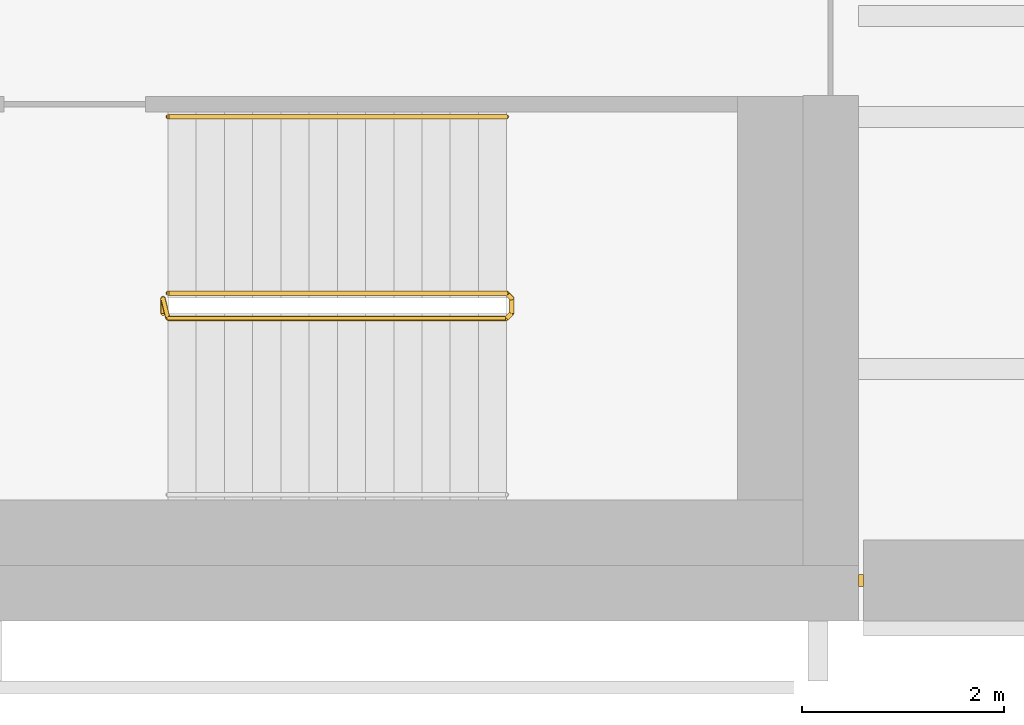
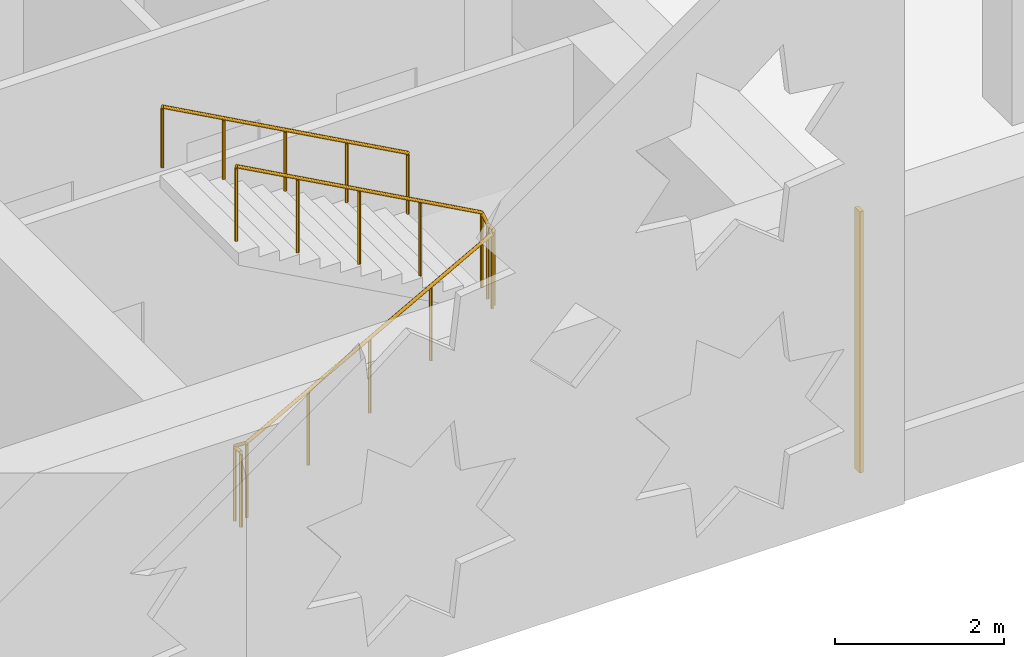
# One storey, part 14 of 15: 2 railings, 1 covering.
"""IFC4 building model written with IfcOpenShell, lengths in metres."""

from ifc_helpers import new_model, si_unit, direction, frame, origin, origin_2d, place, context, subcontext, project, spatial, rectangle, circle, extrude, material, layer, layer_set, type_object, element, save


model = new_model("IFC4")

# Units and contexts
model_context = context("Model", 3, precision=1e-05, world=origin(), true_north=direction((0.0, 1.0)))
body_context = subcontext(model_context, "Body", "Model", "MODEL_VIEW")
ifc_project = project(units=[si_unit("LENGTHUNIT", "METRE"), si_unit("AREAUNIT", "SQUARE_METRE"), si_unit("VOLUMEUNIT", "CUBIC_METRE"), si_unit("PLANEANGLEUNIT", "RADIAN"), si_unit("MASSUNIT", "GRAM", prefix="KILO")], contexts=[model_context])

# Site, building, storey
site_placement = place(None, origin())
site = spatial("IfcSite", under=ifc_project, at=site_placement, CompositionType="ELEMENT")
building_placement = place(site_placement, origin())
building = spatial("IfcBuilding", under=site, at=building_placement, Name="Zellij Exchange Tower", CompositionType="ELEMENT")
storey_placement = place(building_placement, frame((0.0, 0.0, 276.5)))
storey = spatial("IfcBuildingStorey", under=building, at=storey_placement, Name="L65", CompositionType="ELEMENT", Elevation=276.5)

# Railings
ifc_material_1 = material(Name="Stainless steel", Category="steel")
railing_type_1 = type_object("IfcRailingType", Name="CORE-RG stair guard", PredefinedType="GUARDRAIL", material=ifc_material_1)
railing_1_placement = place(storey_placement, frame((20.10009765625, -10.949951171875, 0.0)))
element("IfcRailing", 1, at=railing_1_placement, inside=storey, type_object=railing_type_1, Name="ST4 stair guard L65", PredefinedType="GUARDRAIL", context=body_context, shape_type="SweptSolid", body=[
    extrude(circle(Radius=0.02392578125, at=origin_2d()), frame((0.0, 0.0, 1.076171875), z_axis=(0.0, 1.0, 0.0), x_axis=(-1.0, 0.0, 0.0)), (0.0, 0.0, 1.0), 0.14990234375),
    extrude(circle(Radius=0.02392578125, at=origin_2d()), frame((0.0, 0.14990234375, 1.076171875), z_axis=(0.193691321961, -0.777613689637, 0.598164376644), x_axis=(0.970351222016, 0.241699205484, 0.0)), (0.0, 0.0, 1.0), 0.257080078125),
    extrude(circle(Radius=0.02392578125, at=origin_2d()), frame((0.0498046875, -0.050048828125, 1.22998046875), z_axis=(0.876421534553, 0.0, 0.481544695509), x_axis=(0.0, 1.0, 0.0)), (0.0, 0.0, 1.0), 3.833984375),
    extrude(circle(Radius=0.02392578125, at=origin_2d()), frame((3.409912109375, -0.050048828125, 3.076171875), z_axis=(0.707106781187, 0.707106781187, 0.0), x_axis=(-0.707106781187, 0.707106781187, 0.0)), (0.0, 0.0, 1.0), 0.07080078125),
    extrude(circle(Radius=0.02392578125, at=origin_2d()), frame((3.4599609375, 0.0, 3.076171875), z_axis=(0.0, 1.0, 0.0), x_axis=(-1.0, 0.0, 0.0)), (0.0, 0.0, 1.0), 0.14990234375),
    extrude(circle(Radius=0.02392578125, at=origin_2d()), frame((3.4599609375, 0.14990234375, 3.076171875), z_axis=(-0.295599637079, 0.295599637079, 0.908428152975), x_axis=(-0.707106781187, -0.707106781187, 0.0)), (0.0, 0.0, 1.0), 0.16943359375),
    extrude(circle(Radius=0.02392578125, at=origin_2d()), frame((3.409912109375, 0.199951171875, 3.22998046875), z_axis=(-0.876421534553, 0.0, 0.481544695509), x_axis=(0.0, -1.0, 0.0)), (0.0, 0.0, 1.0), 3.833984375),
    extrude(circle(Radius=0.02099609375, at=origin_2d()), origin(), (0.0, 0.0, 1.0), 1.052001953125),
    extrude(circle(Radius=0.02099609375, at=origin_2d()), frame((0.0, 0.14990234375, 0.0)), (0.0, 0.0, 1.0), 1.052001953125),
    extrude(circle(Radius=0.02099609375, at=origin_2d()), frame((0.0498046875, -0.050048828125, 0.15380859375)), (0.0, 0.0, 1.0), 1.052001953125),
    extrude(circle(Radius=0.02099609375, at=origin_2d()), frame((0.889892578125, -0.050048828125, 0.615234375)), (0.0, 0.0, 1.0), 1.052001953125),
    extrude(circle(Radius=0.02099609375, at=origin_2d()), frame((1.72998046875, -0.050048828125, 1.076904296875)), (0.0, 0.0, 1.0), 1.052001953125),
    extrude(circle(Radius=0.02099609375, at=origin_2d()), frame((2.56982421875, -0.050048828125, 1.53857421875)), (0.0, 0.0, 1.0), 1.052001953125),
    extrude(circle(Radius=0.02099609375, at=origin_2d()), frame((3.409912109375, -0.050048828125, 2.0)), (0.0, 0.0, 1.0), 1.052001953125),
    extrude(circle(Radius=0.02099609375, at=origin_2d()), frame((3.4599609375, 0.0, 2.0)), (0.0, 0.0, 1.0), 1.052001953125),
    extrude(circle(Radius=0.02099609375, at=origin_2d()), frame((3.4599609375, 0.14990234375, 2.0)), (0.0, 0.0, 1.0), 1.052001953125),
    extrude(circle(Radius=0.02099609375, at=origin_2d()), frame((3.409912109375, 0.199951171875, 2.15380859375)), (0.0, 0.0, 1.0), 1.052001953125),
    extrude(circle(Radius=0.02099609375, at=origin_2d()), frame((2.56982421875, 0.199951171875, 2.615234375)), (0.0, 0.0, 1.0), 1.052001953125),
    extrude(circle(Radius=0.02099609375, at=origin_2d()), frame((1.72998046875, 0.199951171875, 3.076904296875)), (0.0, 0.0, 1.0), 1.052001953125),
    extrude(circle(Radius=0.02099609375, at=origin_2d()), frame((0.889892578125, 0.199951171875, 3.53857421875)), (0.0, 0.0, 1.0), 1.052001953125),
    extrude(circle(Radius=0.02099609375, at=origin_2d()), frame((0.0498046875, 0.199951171875, 4.0)), (0.0, 0.0, 1.0), 1.052001953125),
])
railing_type_2 = type_object("IfcRailingType", Name="CORE-RH stair handrail", PredefinedType="HANDRAIL", material=ifc_material_1)
railing_2_placement = place(storey_placement, frame((23.510009765625, -9.0, 2.15380859375)))
element("IfcRailing", 2, at=railing_2_placement, inside=storey, type_object=railing_type_2, Name="ST4 stair handrail L65", PredefinedType="HANDRAIL", context=body_context, shape_type="SweptSolid", body=[
    extrude(circle(Radius=0.02392578125, at=origin_2d()), frame((0.0, 0.0, 0.8759765625), z_axis=(-0.876421534553, 0.0, 0.481544695509), x_axis=(0.0, -1.0, 0.0)), (0.0, 0.0, 1.0), 3.833984375),
    extrude(circle(Radius=0.02099609375, at=origin_2d()), origin(), (0.0, 0.0, 1.0), 0.851806640625),
    extrude(circle(Radius=0.02099609375, at=origin_2d()), frame((-0.840087890625, 0.0, 0.46142578125)), (0.0, 0.0, 1.0), 0.851806640625),
    extrude(circle(Radius=0.02099609375, at=origin_2d()), frame((-1.68017578125, 0.0, 0.923095703125)), (0.0, 0.0, 1.0), 0.851806640625),
    extrude(circle(Radius=0.02099609375, at=origin_2d()), frame((-2.52001953125, 0.0, 1.384765625)), (0.0, 0.0, 1.0), 0.851806640625),
    extrude(circle(Radius=0.02099609375, at=origin_2d()), frame((-3.360107421875, 0.0, 1.84619140625)), (0.0, 0.0, 1.0), 0.851806640625),
])

# Covering
ifc_material_2 = material(Name="Limestone cladding", Category="masonry")
ifc_layer = layer(ifc_material_2, 0.1201171875)
ifc_layer_set = layer_set([ifc_layer], Name="Limestone cladding")
covering_type = type_object("IfcCoveringType", Name="ENV-CV18 Glazing closer 120", PredefinedType="CLADDING", material=ifc_layer_set)
covering_placement = place(storey_placement, frame((27.02490234375, -13.60009765625, 0.0), z_axis=(0.0, 0.0, 1.0), x_axis=(-1.0, 0.0, 0.0)))
element("IfcCovering", 3, at=covering_placement, inside=storey, type_object=covering_type, Name="Glazing closer", PredefinedType="CLADDING", context=body_context, shape_type="SweptSolid", body=[
    extrude(rectangle(XDim=0.050048828125, YDim=0.1201171875, at=origin_2d()), origin(), (0.0, 0.0, 1.0), 3.780029296875),
])

save(model, "model.ifc")
